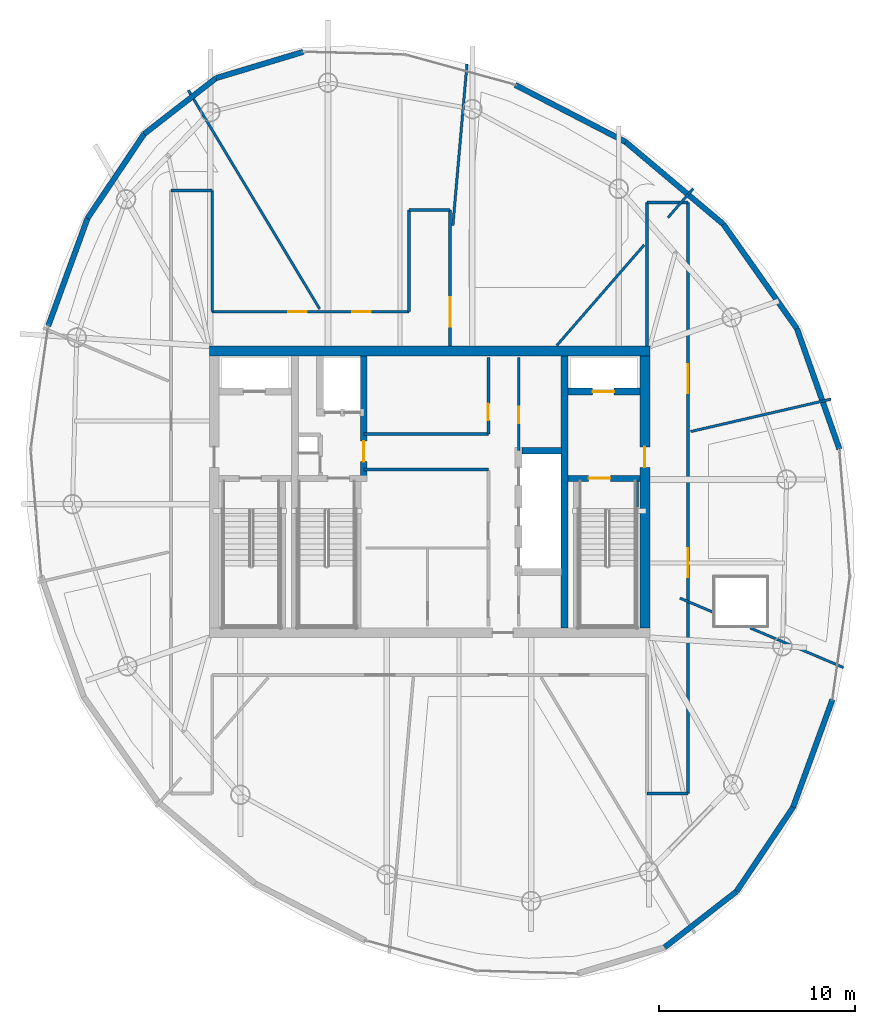
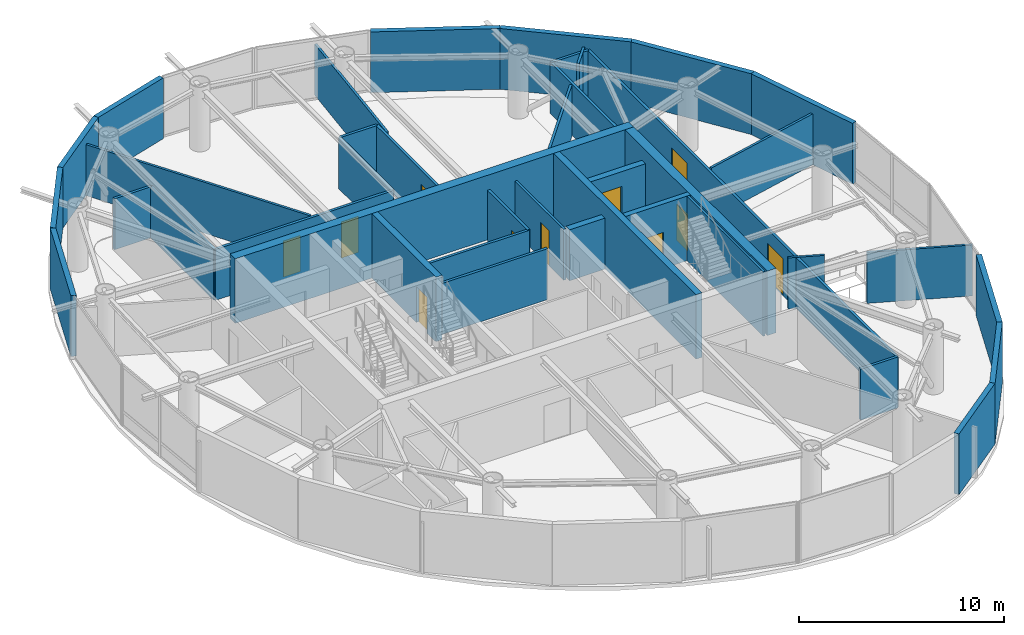
# One storey, part 16 of 20: 40 walls, 11 doors, 11 openings.
"""IFC4 building model written with IfcOpenShell, lengths in metres."""

import ifcopenshell
import ifcopenshell.guid

model = None  # the IFC model being written
_history = None  # IfcOwnerHistory: only IFC2X3 demands one
_inside = {}  # id of a spatial element -> (the spatial element, [elements in it])
_under = {}  # id of a project, library or spatial element -> (it, [spatial elements below it])
_declared = {}  # id of a project -> (the project, [libraries it declares])
_typed = {}  # id of a type object -> (the type object, [elements of that type])
_made_of = {}  # id of a material, layer set ... -> (it, [elements and type objects made of it])


def new_model(schema):
    """Start an empty IFC model of exactly this schema.

    Asked for "IFC4X3", IfcOpenShell would pick the latest addendum, in which some entities
    have other attributes; the version numbers below select the first issue.
    IFC2X3 requires an IfcOwnerHistory on every rooted entity: one is made here for all.
    """
    global model, _history
    if schema == "IFC4X3":
        model = ifcopenshell.file(schema_version=(4, 3, 0, 0))
    else:
        model = ifcopenshell.file(schema=schema)
    _inside.clear()
    _under.clear()
    _declared.clear()
    _typed.clear()
    _made_of.clear()
    _history = None
    if model.schema == "IFC2X3":
        org = make("IfcOrganization", Name="unknown")
        user = make(
            "IfcPersonAndOrganization",
            ThePerson=make("IfcPerson", FamilyName="unknown"),
            TheOrganization=org,
        )
        app = make(
            "IfcApplication",
            ApplicationDeveloper=org,
            Version="unknown",
            ApplicationFullName="unknown",
            ApplicationIdentifier="unknown",
        )
        _history = make(
            "IfcOwnerHistory",
            OwningUser=user,
            OwningApplication=app,
            ChangeAction="ADDED",
            CreationDate=0,
        )
    return model


def make(cls, **values):
    """One entity of the class cls with the attributes given. An attribute that is None is left unset."""
    return model.create_entity(
        cls, **{name: value for name, value in values.items() if value is not None}
    )


def rooted(cls, **values):
    """An entity with a GlobalId (a new one), such as an element, a storey or a relation."""
    return make(cls, GlobalId=ifcopenshell.guid.new(), OwnerHistory=_history, **values)


def si_unit(unit_type, name, prefix=None):
    """IfcSIUnit, for example si_unit("LENGTHUNIT", "METRE", prefix="MILLI")."""
    return make("IfcSIUnit", UnitType=unit_type, Prefix=prefix, Name=name)


def assignment(units):
    """IfcUnitAssignment: the units of a project."""
    return None if units is None else make("IfcUnitAssignment", Units=units)


def point(xyz):
    """IfcCartesianPoint."""
    return None if xyz is None else make("IfcCartesianPoint", Coordinates=xyz)


def direction(xyz):
    """IfcDirection."""
    return None if xyz is None else make("IfcDirection", DirectionRatios=xyz)


def frame(location, z_axis=None, x_axis=None):
    """IfcAxis2Placement3D, a coordinate frame: its origin and axes. An axis left out is left unset."""
    return make(
        "IfcAxis2Placement3D",
        Location=point(location),
        Axis=direction(z_axis),
        RefDirection=direction(x_axis),
    )


def frame_2d(location, x_axis=None):
    """IfcAxis2Placement2D, a coordinate frame in the plane: its origin and x axis."""
    return make(
        "IfcAxis2Placement2D", Location=point(location), RefDirection=direction(x_axis)
    )


def origin():
    """The frame at (0, 0, 0) with its axes left unset."""
    return frame((0.0, 0.0, 0.0))


def place(relative_to, where):
    """IfcLocalPlacement: puts the frame where relative to a parent placement (None: the world)."""
    return make(
        "IfcLocalPlacement", PlacementRelTo=relative_to, RelativePlacement=where
    )


def context(
    kind, dimensions, precision=None, world=None, true_north=None, identifier=None
):
    """IfcGeometricRepresentationContext, for example the 3D "Model" context."""
    return make(
        "IfcGeometricRepresentationContext",
        ContextIdentifier=identifier,
        ContextType=kind,
        CoordinateSpaceDimension=dimensions,
        Precision=precision,
        WorldCoordinateSystem=world,
        TrueNorth=true_north,
    )


def subcontext(parent, identifier, kind, view, scale=None):
    """IfcGeometricRepresentationSubContext, for example "Body" below "Model"."""
    return make(
        "IfcGeometricRepresentationSubContext",
        ContextIdentifier=identifier,
        ContextType=kind,
        ParentContext=parent,
        TargetScale=scale,
        TargetView=view,
    )


def project(units=None, contexts=None):
    """IfcProject with its units and contexts."""
    return rooted(
        "IfcProject",
        Name="project",
        RepresentationContexts=contexts,
        UnitsInContext=assignment(units),
    )


def spatial(cls, under=None, at=None, **own):
    """A site, building, storey or space (cls), placed at a placement, below another one or the project."""
    s = rooted(cls, ObjectPlacement=at, **own)
    if under is not None:
        _under.setdefault(under.id(), (under, []))[1].append(s)
    return s


def profile(cls, at=None, kind="AREA", **sizes):
    """A parametric profile (cls). Its sizes go by their IFC names, for example OverallWidth=200.0."""
    return make(cls, ProfileType=kind, Position=at, **sizes)


def rectangle(**sizes):
    """IfcRectangleProfileDef."""
    return profile("IfcRectangleProfileDef", **sizes)


def extrude(swept, where, along, depth):
    """IfcExtrudedAreaSolid: the profile swept, set in the frame where, extruded along a direction by depth."""
    return make(
        "IfcExtrudedAreaSolid",
        SweptArea=swept,
        Position=where,
        ExtrudedDirection=direction(along),
        Depth=depth,
    )


def shape(context_of_items, identifier, shape_type, items):
    """IfcShapeRepresentation: the items that make up one representation, for example the "Body"."""
    return make(
        "IfcShapeRepresentation",
        ContextOfItems=context_of_items,
        RepresentationIdentifier=identifier,
        RepresentationType=shape_type,
        Items=items,
    )


def material(Name=None, Category=None):
    """IfcMaterial."""
    return make("IfcMaterial", Name=Name, Category=Category)


def layer(
    of_material, thickness, ventilated=None, Name=None, Category=None, Priority=None
):
    """IfcMaterialLayer: one layer of a wall or slab, of a material (None: an air gap)."""
    return make(
        "IfcMaterialLayer",
        Material=of_material,
        LayerThickness=thickness,
        IsVentilated=ventilated,
        Name=Name,
        Category=Category,
        Priority=Priority,
    )


def layer_set(layers, Name=None):
    """IfcMaterialLayerSet."""
    return make("IfcMaterialLayerSet", MaterialLayers=layers, LayerSetName=Name)


def made_of(thing, what):
    """Note that an element or type object is made of a material, layer set ...; save() writes the relation."""
    if what is not None:
        _made_of.setdefault(what.id(), (what, []))[1].append(thing)
    return thing


def type_object(cls, material=None, **own):
    """A type object (cls), such as IfcWallType, which elements share."""
    return made_of(rooted(cls, **own), material)


def element(
    cls,
    number,
    at=None,
    inside=None,
    cuts=None,
    type_object=None,
    material=None,
    context=None,
    identifier="Body",
    shape_type=None,
    held_by="IfcProductDefinitionShape",
    body=None,
    shapes=None,
    **own,
):
    """One element of the class cls, such as IfcWall. Its Tag is "e" and its number.

    at: its placement. inside: the storey or other place that contains it. cuts: it is an
    opening in that element (IfcRelVoidsElement). A single representation is given by context,
    identifier, shape_type and body (its items); several are given by shapes. held_by: the class
    of the entity that holds the representations. save() writes the other relations.
    """
    e = rooted(cls, Tag="e%d" % number, ObjectPlacement=at, **own)
    if body is not None:
        shapes = [shape(context, identifier, shape_type, body)]
    if shapes is not None:
        e.Representation = make(held_by, Representations=shapes)
    if inside is not None:
        _inside.setdefault(inside.id(), (inside, []))[1].append(e)
    if cuts is not None:
        rooted(
            "IfcRelVoidsElement", RelatingBuildingElement=cuts, RelatedOpeningElement=e
        )
    if type_object is not None:
        _typed.setdefault(type_object.id(), (type_object, []))[1].append(e)
    return made_of(e, material)


def fill(opening, filler):
    """IfcRelFillsElement: the door or window that sits in an opening."""
    return rooted(
        "IfcRelFillsElement",
        RelatingOpeningElement=opening,
        RelatedBuildingElement=filler,
    )


def aggregate(whole, parts):
    """IfcRelAggregates: a whole, such as a stair, and the parts it consists of."""
    return rooted("IfcRelAggregates", RelatingObject=whole, RelatedObjects=parts)


def save(model, path):
    """Write the relations noted so far, then the file.

    IfcRelAggregates (storeys below a building ...), IfcRelContainedInSpatialStructure (elements
    in a storey), IfcRelDefinesByType, IfcRelAssociatesMaterial and IfcRelDeclares: one each for
    every whole, place, type object, material and project.
    """
    for whole, parts in _under.values():
        aggregate(whole, parts)
    for where, things in _inside.values():
        rooted(
            "IfcRelContainedInSpatialStructure",
            RelatedElements=things,
            RelatingStructure=where,
        )
    for kind, things in _typed.values():
        rooted("IfcRelDefinesByType", RelatedObjects=things, RelatingType=kind)
    for what, things in _made_of.values():
        rooted("IfcRelAssociatesMaterial", RelatedObjects=things, RelatingMaterial=what)
    for by, libraries in _declared.values():
        rooted("IfcRelDeclares", RelatingContext=by, RelatedDefinitions=libraries)
    model.write(path)


model = new_model("IFC4")

# Units and contexts
model_context = context("Model", 3, precision=1e-05, world=origin(), true_north=direction((0.0, 1.0)))
body_context = subcontext(model_context, "Body", "Model", "MODEL_VIEW")
ifc_project = project(units=[si_unit("LENGTHUNIT", "METRE"), si_unit("AREAUNIT", "SQUARE_METRE"), si_unit("VOLUMEUNIT", "CUBIC_METRE"), si_unit("PLANEANGLEUNIT", "RADIAN"), si_unit("MASSUNIT", "GRAM", prefix="KILO")], contexts=[model_context])

# Site, building, storey
site_placement = place(None, origin())
site = spatial("IfcSite", under=ifc_project, at=site_placement, CompositionType="ELEMENT")
building_placement = place(site_placement, origin())
building = spatial("IfcBuilding", under=site, at=building_placement, Name="Bramvorn Convention Spire", CompositionType="ELEMENT")
storey_placement = place(building_placement, frame((0.0, 0.0, 284.39990234375)))
storey = spatial("IfcBuildingStorey", under=building, at=storey_placement, Name="L72", CompositionType="ELEMENT", Elevation=284.39990234375)

# Wall
ifc_material_1 = material(Name="Concrete C50/60", Category="concrete")
ifc_layer_1 = layer(ifc_material_1, 0.5)
ifc_layer_set_1 = layer_set([ifc_layer_1], Name="Concrete C50/60 - WL-CORE-500")
wall_type_1 = type_object("IfcWallType", Name="WL-CORE-500", PredefinedType="SHEAR", material=ifc_layer_set_1)
wall_1_placement = place(storey_placement, frame((26.75, 33.199951171875, 0.0), z_axis=(0.0, 0.0, 1.0), x_axis=(1.0, 0.0, 0.0)))
element("IfcWall", 1, at=wall_1_placement, inside=storey, type_object=wall_type_1, Name="L72 North RC core shear wall", PredefinedType="SHEAR", context=body_context, shape_type="SweptSolid", body=[
    extrude(rectangle(XDim=22.5, YDim=0.5, at=frame_2d((11.25, 0.0))), origin(), (0.0, 0.0, 1.0), 3.85009765625),
])

# Wall, opening, door
wall_2_placement = place(storey_placement, frame((49.0, 19.050048828125, 0.0), z_axis=(0.0, 0.0, 1.0), x_axis=(0.0, 1.0, 0.0)))
wall_2 = element("IfcWall", 2, at=wall_2_placement, inside=storey, type_object=wall_type_1, Name="L72 East RC core shear wall", PredefinedType="SHEAR", context=body_context, shape_type="SweptSolid", body=[
    extrude(rectangle(XDim=13.89990234375, YDim=0.5, at=frame_2d((6.949951171875, 0.0))), origin(), (0.0, 0.0, 1.0), 3.85009765625),
])
opening_1_placement = place(wall_2_placement, frame((8.199951171875, 0.0, 0.0)))
opening_1 = element("IfcOpeningElement", 3, at=opening_1_placement, cuts=wall_2, Name="Opening DL-105", PredefinedType="OPENING", context=body_context, shape_type="SweptSolid", body=[
    extrude(rectangle(XDim=1.050048828125, YDim=2.14990234375, at=frame_2d((0.52490234375, 1.074951171875))), frame((0.0, 0.260009765625, 0.0), z_axis=(0.0, -1.0, 0.0), x_axis=(1.0, 0.0, 0.0)), (0.0, 0.0, 1.0), 0.52001953125),
])
ifc_material_2 = material(Name="Smoke-Sealed Fire Lobby Timber-Core Door", Category="wood")
door_type_1 = type_object("IfcDoorType", Name="DR-LOBBY-1050", OperationType="NOTDEFINED", PredefinedType="DOOR", material=ifc_material_2)
door_1_placement = place(opening_1_placement, origin())
door_1 = element("IfcDoor", 4, at=door_1_placement, inside=storey, type_object=door_type_1, Name="L72 East Firefighting Lobby corridor door", OperationType="SINGLE_SWING_LEFT", OverallHeight=2.14990234375, OverallWidth=1.050048828125, PredefinedType="DOOR", context=body_context, shape_type="SweptSolid", body=[
    extrude(rectangle(XDim=1.050048828125, YDim=2.14990234375, at=frame_2d((0.52490234375, 1.074951171875))), frame((0.0, 0.02490234375, 0.0), z_axis=(0.0, -1.0, 0.0), x_axis=(1.0, 0.0, 0.0)), (0.0, 0.0, 1.0), 0.050048828125),
])
fill(opening_1, door_1)

# Wall
ifc_layer_2 = layer(ifc_material_1, 0.35009765625)
ifc_layer_set_2 = layer_set([ifc_layer_2], Name="Concrete C50/60 - WL-CORE-INT-350")
wall_type_2 = type_object("IfcWallType", Name="WL-CORE-INT-350", PredefinedType="SHEAR", material=ifc_layer_set_2)
wall_3_placement = place(storey_placement, frame((44.89990234375, 19.050048828125, 0.0), z_axis=(0.0, 0.0, 1.0), x_axis=(0.0, 1.0, 0.0)))
element("IfcWall", 5, at=wall_3_placement, inside=storey, type_object=wall_type_2, Name="L72 East internal core shear web", PredefinedType="SHEAR", context=body_context, shape_type="SweptSolid", body=[
    extrude(rectangle(XDim=13.89990234375, YDim=0.35009765625, at=frame_2d((6.949951171875, 0.0))), origin(), (0.0, 0.0, 1.0), 3.85009765625),
])

# Wall, opening, door
wall_4_placement = place(storey_placement, frame((45.080078125, 31.1201171875, 0.0), z_axis=(0.0, 0.0, 1.0), x_axis=(1.0, 0.0, 0.0)))
wall_4 = element("IfcWall", 6, at=wall_4_placement, inside=storey, type_object=wall_type_2, Name="L72 FE2 shaft front wall", PredefinedType="SHEAR", context=body_context, shape_type="SweptSolid", body=[
    extrude(rectangle(XDim=3.669921875, YDim=0.35009765625, at=frame_2d((1.8349609375, 0.0))), origin(), (0.0, 0.0, 1.0), 3.0400390625),
])
opening_2_placement = place(wall_4_placement, frame((1.25, 0.0, 0.0)))
opening_2 = element("IfcOpeningElement", 7, at=opening_2_placement, cuts=wall_4, Name="Opening LD-110", PredefinedType="OPENING", context=body_context, shape_type="SweptSolid", body=[
    extrude(rectangle(XDim=1.10009765625, YDim=2.14990234375, at=frame_2d((0.550048828125, 1.074951171875))), frame((0.0, 0.18505859375, 0.0), z_axis=(0.0, -1.0, 0.0), x_axis=(1.0, 0.0, 0.0)), (0.0, 0.0, 1.0), 0.3701171875),
])
ifc_material_3 = material(Name="Firefighting & Service Lift Sliding Landing Door", Category="steel")
door_type_2 = type_object("IfcDoorType", Name="DR-LIFT-LD-1100", OperationType="NOTDEFINED", PredefinedType="DOOR", material=ifc_material_3)
door_2_placement = place(opening_2_placement, origin())
door_2 = element("IfcDoor", 8, at=door_2_placement, inside=storey, type_object=door_type_2, Name="L72 Lift FE2 Sliding Landing Door", OperationType="SLIDING_TO_LEFT", OverallHeight=2.14990234375, OverallWidth=1.10009765625, PredefinedType="DOOR", context=body_context, shape_type="SweptSolid", body=[
    extrude(rectangle(XDim=1.10009765625, YDim=2.14990234375, at=frame_2d((0.550048828125, 1.074951171875))), frame((0.0, 0.02490234375, 0.0), z_axis=(0.0, -1.0, 0.0), x_axis=(1.0, 0.0, 0.0)), (0.0, 0.0, 1.0), 0.050048828125),
])
fill(opening_2, door_2)

wall_5_placement = place(storey_placement, frame((34.639892578125, 26.68994140625, 0.0), z_axis=(0.0, 0.0, 1.0), x_axis=(0.0, 1.0, 0.0)))
wall_5 = element("IfcWall", 9, at=wall_5_placement, inside=storey, type_object=wall_type_2, Name="L72 SV east core shaft wall", PredefinedType="SHEAR", context=body_context, shape_type="SweptSolid", body=[
    extrude(rectangle(XDim=6.260009765625, YDim=0.35009765625, at=frame_2d((3.1298828125, 0.0))), origin(), (0.0, 0.0, 1.0), 3.85009765625),
])
opening_3_placement = place(wall_5_placement, frame((0.85009765625, 0.0, 0.0)))
opening_3 = element("IfcOpeningElement", 10, at=opening_3_placement, cuts=wall_5, Name="Opening DL-105", PredefinedType="OPENING", context=body_context, shape_type="SweptSolid", body=[
    extrude(rectangle(XDim=1.050048828125, YDim=2.14990234375, at=frame_2d((0.52490234375, 1.074951171875))), frame((0.0, 0.18505859375, 0.0), z_axis=(0.0, -1.0, 0.0), x_axis=(1.0, 0.0, 0.0)), (0.0, 0.0, 1.0), 0.3701171875),
])
door_3_placement = place(opening_3_placement, origin())
door_3 = element("IfcDoor", 11, at=door_3_placement, inside=storey, type_object=door_type_1, Name="L72 Core cross-passage door", OperationType="SINGLE_SWING_RIGHT", OverallHeight=2.14990234375, OverallWidth=1.050048828125, PredefinedType="DOOR", context=body_context, shape_type="SweptSolid", body=[
    extrude(rectangle(XDim=1.050048828125, YDim=2.14990234375, at=frame_2d((0.52490234375, 1.074951171875))), frame((0.0, 0.02490234375, 0.0), z_axis=(0.0, -1.0, 0.0), x_axis=(1.0, 0.0, 0.0)), (0.0, 0.0, 1.0), 0.050048828125),
])
fill(opening_3, door_3)

# Walls
wall_6_placement = place(storey_placement, frame((42.719970703125, 28.10009765625, 0.0), z_axis=(0.0, 0.0, 1.0), x_axis=(1.0, 0.0, 0.0)))
element("IfcWall", 12, at=wall_6_placement, inside=storey, type_object=wall_type_2, Name="L72 High-rise lift bank north wall", PredefinedType="SHEAR", context=body_context, shape_type="SweptSolid", body=[
    extrude(rectangle(XDim=2.030029296875, YDim=0.35009765625, at=frame_2d((1.01513671875, 0.0))), origin(), (0.0, 0.0, 1.0), 3.0400390625),
])
ifc_material_4 = material(Name="Precast Concrete C40/50 with Bronze Terracotta Rainscreen", Category="masonry")
ifc_layer_3 = layer(ifc_material_4, 0.300048828125)
ifc_layer_set_3 = layer_set([ifc_layer_3], Name="Precast Concrete C40/50 with Bronze Terracotta Rainscreen - WL-EXT-BRONZE-300")
wall_type_3 = type_object("IfcWallType", Name="WL-EXT-BRONZE-300", PredefinedType="SOLIDWALL", material=ifc_layer_set_3)
wall_7_placement = place(storey_placement, frame((53.679931640625, 5.58935546875, 0.0), z_axis=(0.0, 0.0, 1.0), x_axis=(-0.789685647457, -0.613511677314, 0.0)))
element("IfcWall", 13, at=wall_7_placement, inside=storey, type_object=wall_type_3, Name="L72 expressed bronze Gothic lancet pier wall 01", PredefinedType="SOLIDWALL", context=body_context, shape_type="SweptSolid", body=[
    extrude(rectangle(XDim=4.650634765625, YDim=0.280029296875, at=frame_2d((2.3251953125, 0.0))), origin(), (0.0, 0.0, 1.0), 3.625),
])
wall_8_placement = place(storey_placement, frame((56.568115234375, 9.888427734375, 0.0), z_axis=(0.0, 0.0, 1.0), x_axis=(-0.557655573971, -0.830072443115, 0.0)))
element("IfcWall", 14, at=wall_8_placement, inside=storey, type_object=wall_type_3, Name="L72 expressed bronze Gothic lancet pier wall 02", PredefinedType="SOLIDWALL", context=body_context, shape_type="SweptSolid", body=[
    extrude(rectangle(XDim=5.17919921875, YDim=0.280029296875, at=frame_2d((2.589599609375, 0.0))), origin(), (0.0, 0.0, 1.0), 3.625),
])
wall_9_placement = place(storey_placement, frame((58.577880859375, 15.39306640625, 0.0), z_axis=(0.0, 0.0, 1.0), x_axis=(-0.342960397208, -0.939349863441, 0.0)))
element("IfcWall", 15, at=wall_9_placement, inside=storey, type_object=wall_type_3, Name="L72 expressed bronze Gothic lancet pier wall 03", PredefinedType="SOLIDWALL", context=body_context, shape_type="SweptSolid", body=[
    extrude(rectangle(XDim=5.860107421875, YDim=0.280029296875, at=frame_2d((2.93017578125, 0.0))), origin(), (0.0, 0.0, 1.0), 3.625),
])
wall_10_placement = place(storey_placement, frame((56.765625, 34.335205078125, 0.0), z_axis=(0.0, 0.0, 1.0), x_axis=(0.332463989461, -0.943115950301, 0.0)))
element("IfcWall", 16, at=wall_10_placement, inside=storey, type_object=wall_type_3, Name="L72 expressed bronze Gothic lancet pier wall 06", PredefinedType="SOLIDWALL", context=body_context, shape_type="SweptSolid", body=[
    extrude(rectangle(XDim=6.52685546875, YDim=0.280029296875, at=frame_2d((3.263427734375, 0.0))), origin(), (0.0, 0.0, 1.0), 3.625),
])
wall_11_placement = place(storey_placement, frame((53.0048828125, 39.669921875, 0.0), z_axis=(0.0, 0.0, 1.0), x_axis=(0.576177911519, -0.817324301779, 0.0)))
element("IfcWall", 17, at=wall_11_placement, inside=storey, type_object=wall_type_3, Name="L72 expressed bronze Gothic lancet pier wall 07", PredefinedType="SOLIDWALL", context=body_context, shape_type="SweptSolid", body=[
    extrude(rectangle(XDim=6.527099609375, YDim=0.280029296875, at=frame_2d((3.263671875, 0.0))), origin(), (0.0, 0.0, 1.0), 3.625),
])
wall_12_placement = place(storey_placement, frame((48.012451171875, 43.872802734375, 0.0), z_axis=(0.0, 0.0, 1.0), x_axis=(0.765007232119, -0.644021688148, 0.0)))
element("IfcWall", 18, at=wall_12_placement, inside=storey, type_object=wall_type_3, Name="L72 expressed bronze Gothic lancet pier wall 08", PredefinedType="SOLIDWALL", context=body_context, shape_type="SweptSolid", body=[
    extrude(rectangle(XDim=6.52587890625, YDim=0.280029296875, at=frame_2d((3.262939453125, 0.0))), origin(), (0.0, 0.0, 1.0), 3.625),
])
wall_13_placement = place(storey_placement, frame((42.375, 46.785400390625, 0.0), z_axis=(0.0, 0.0, 1.0), x_axis=(0.888431398434, -0.459009422862, 0.0)))
element("IfcWall", 19, at=wall_13_placement, inside=storey, type_object=wall_type_3, Name="L72 expressed bronze Gothic lancet pier wall 09", PredefinedType="SOLIDWALL", context=body_context, shape_type="SweptSolid", body=[
    extrude(rectangle(XDim=6.345458984375, YDim=0.280029296875, at=frame_2d((3.1728515625, 0.0))), origin(), (0.0, 0.0, 1.0), 3.625),
])
for number, where, z_axis, x_axis, name in (
    (20, (27.09326171875, 47.13134765625, 0.0), (0.0, 0.0, 1.0), (0.957551320762, 0.288262845521, 0.0), "L72 expressed bronze Gothic lancet pier wall 12"),
    (21, (23.4208984375, 44.278076171875, 0.0), (0.0, 0.0, 1.0), (0.789665887206, 0.613537111007, 0.0), "L72 expressed bronze Gothic lancet pier wall 13"),
):
    element("IfcWall", number, at=place(storey_placement, frame(where, z_axis=z_axis, x_axis=x_axis)), inside=storey, type_object=wall_type_3, Name=name, PredefinedType="SOLIDWALL", context=body_context, shape_type="SweptSolid", body=[
        extrude(rectangle(XDim=4.650634765625, YDim=0.280029296875, at=frame_2d((2.3251953125, 0.0))), origin(), (0.0, 0.0, 1.0), 3.625),
    ])
wall_14_placement = place(storey_placement, frame((20.53271484375, 39.97900390625, 0.0), z_axis=(0.0, 0.0, 1.0), x_axis=(0.557655573971, 0.830072443115, 0.0)))
element("IfcWall", 22, at=wall_14_placement, inside=storey, type_object=wall_type_3, Name="L72 expressed bronze Gothic lancet pier wall 14", PredefinedType="SOLIDWALL", context=body_context, shape_type="SweptSolid", body=[
    extrude(rectangle(XDim=5.17919921875, YDim=0.280029296875, at=frame_2d((2.589599609375, 0.0))), origin(), (0.0, 0.0, 1.0), 3.625),
])
wall_15_placement = place(storey_placement, frame((18.52294921875, 34.474365234375, 0.0), z_axis=(0.0, 0.0, 1.0), x_axis=(0.342960397208, 0.939349863441, 0.0)))
element("IfcWall", 23, at=wall_15_placement, inside=storey, type_object=wall_type_3, Name="L72 expressed bronze Gothic lancet pier wall 15", PredefinedType="SOLIDWALL", context=body_context, shape_type="SweptSolid", body=[
    extrude(rectangle(XDim=5.860107421875, YDim=0.280029296875, at=frame_2d((2.93017578125, 0.0))), origin(), (0.0, 0.0, 1.0), 3.625),
])

# Wall, opening, door
ifc_material_5 = material(Name="Metal-Stud Demountable Office Partition", Category="gypsum")
ifc_layer_4 = layer(ifc_material_5, 0.1298828125)
ifc_layer_set_4 = layer_set([ifc_layer_4], Name="Metal-Stud Demountable Office Partition - WL-PART-130")
wall_type_4 = type_object("IfcWallType", Name="WL-PART-130", PredefinedType="PARTITIONING", material=ifc_layer_set_4)
wall_16_placement = place(storey_placement, frame((42.550048828125, 28.10009765625, 0.0), z_axis=(0.0, 0.0, 1.0), x_axis=(0.0, 1.0, 0.0)))
wall_16 = element("IfcWall", 24, at=wall_16_placement, inside=storey, type_object=wall_type_4, Name="L72 KA NE IDF wall", PredefinedType="PARTITIONING", context=body_context, shape_type="SweptSolid", body=[
    extrude(rectangle(XDim=4.75, YDim=0.1298828125, at=frame_2d((2.375, 0.0))), origin(), (0.0, 0.0, 1.0), 3.0400390625),
])
opening_4_placement = place(wall_16_placement, frame((1.39990234375, 0.0, 0.0)))
opening_4 = element("IfcOpeningElement", 25, at=opening_4_placement, cuts=wall_16, Name="Opening DC-085", PredefinedType="OPENING", context=body_context, shape_type="SweptSolid", body=[
    extrude(rectangle(XDim=0.85009765625, YDim=2.10009765625, at=frame_2d((0.425048828125, 1.050048828125))), frame((0.0, 0.074951171875, 0.0), z_axis=(0.0, -1.0, 0.0), x_axis=(1.0, 0.0, 0.0)), (0.0, 0.0, 1.0), 0.14990234375),
])
ifc_material_6 = material(Name="Fire-Rated Core Washroom & IDF Door", Category="wood")
door_type_3 = type_object("IfcDoorType", Name="DR-CORE-850", OperationType="NOTDEFINED", PredefinedType="DOOR", material=ifc_material_6)
door_4_placement = place(opening_4_placement, origin())
door_4 = element("IfcDoor", 26, at=door_4_placement, inside=storey, type_object=door_type_3, Name="L72 Core IDF & BMS Room door", OperationType="SINGLE_SWING_LEFT", OverallHeight=2.10009765625, OverallWidth=0.85009765625, PredefinedType="DOOR", context=body_context, shape_type="SweptSolid", body=[
    extrude(rectangle(XDim=0.85009765625, YDim=2.10009765625, at=frame_2d((0.425048828125, 1.050048828125))), frame((0.0, 0.02490234375, 0.0), z_axis=(0.0, -1.0, 0.0), x_axis=(1.0, 0.0, 0.0)), (0.0, 0.0, 1.0), 0.050048828125),
])
fill(opening_4, door_4)

# Walls
wall_17_placement = place(storey_placement, frame((51.340087890625, 29.079833984375, 0.0), z_axis=(0.0, 0.0, 1.0), x_axis=(0.974374403815, 0.224932259114, 0.0)))
element("IfcWall", 27, at=wall_17_placement, inside=storey, type_object=wall_type_4, Name="L72 Tenant suite partition 1", PredefinedType="PARTITIONING", context=body_context, shape_type="SweptSolid", body=[
    extrude(rectangle(XDim=7.3525390625, YDim=0.1298828125, at=frame_2d((3.67626953125, 0.0))), origin(), (0.0, 0.0, 1.0), 3.0400390625),
])
wall_18_placement = place(storey_placement, frame((44.49365234375, 33.469970703125, 0.0), z_axis=(0.0, 0.0, 1.0), x_axis=(0.656056181598, 0.754712055414, 0.0)))
element("IfcWall", 28, at=wall_18_placement, inside=storey, type_object=wall_type_4, Name="L72 Tenant suite partition 2", PredefinedType="PARTITIONING", context=body_context, shape_type="SweptSolid", body=[
    extrude(rectangle(XDim=6.807861328125, YDim=0.1298828125, at=frame_2d((3.40380859375, 0.0))), origin(), (0.0, 0.0, 1.0), 3.0400390625),
])
wall_19_placement = place(storey_placement, frame((50.177001953125, 40.00830078125, 0.0), z_axis=(0.0, 0.0, 1.0), x_axis=(0.65617256833, 0.754610866984, 0.0)))
element("IfcWall", 29, at=wall_19_placement, inside=storey, type_object=wall_type_4, Name="L72 Tenant suite partition 2", PredefinedType="PARTITIONING", context=body_context, shape_type="SweptSolid", body=[
    extrude(rectangle(XDim=1.966796875, YDim=0.1298828125, at=frame_2d((0.9833984375, 0.0))), origin(), (0.0, 0.0, 1.0), 3.0400390625),
])
wall_20_placement = place(storey_placement, frame((39.18994140625, 39.601806640625, 0.0), z_axis=(0.0, 0.0, 1.0), x_axis=(0.087163297365, 0.996194037119, 0.0)))
element("IfcWall", 30, at=wall_20_placement, inside=storey, type_object=wall_type_4, Name="L72 Tenant suite partition 3", PredefinedType="PARTITIONING", context=body_context, shape_type="SweptSolid", body=[
    extrude(rectangle(XDim=8.290771484375, YDim=0.1298828125, at=frame_2d((4.1455078125, 0.0))), origin(), (0.0, 0.0, 1.0), 3.0400390625),
])
wall_21_placement = place(storey_placement, frame((32.387939453125, 35.340087890625, 0.0), z_axis=(0.0, 0.0, 1.0), x_axis=(-0.515038074914, 0.8571673007, 0.0)))
element("IfcWall", 31, at=wall_21_placement, inside=storey, type_object=wall_type_4, Name="L72 Tenant suite partition 4", PredefinedType="PARTITIONING", context=body_context, shape_type="SweptSolid", body=[
    extrude(rectangle(XDim=13.03955078125, YDim=0.1298828125, at=frame_2d((6.519775390625, 0.0))), origin(), (0.0, 0.0, 1.0), 3.0400390625),
])
wall_22_placement = place(storey_placement, frame((50.7900390625, 20.571044921875, 0.0), z_axis=(0.0, 0.0, 1.0), x_axis=(0.920456362026, -0.390845347429, 0.0)))
element("IfcWall", 32, at=wall_22_placement, inside=storey, type_object=wall_type_4, Name="L72 Tenant suite partition 10", PredefinedType="PARTITIONING", context=body_context, shape_type="SweptSolid", body=[
    extrude(rectangle(XDim=1.803466796875, YDim=0.1298828125, at=frame_2d((0.90185546875, 0.0))), origin(), (0.0, 0.0, 1.0), 3.0400390625),
])
wall_23_placement = place(storey_placement, frame((54.373291015625, 19.050048828125, 0.0), z_axis=(0.0, 0.0, 1.0), x_axis=(0.920491611713, -0.390762322603, 0.0)))
element("IfcWall", 33, at=wall_23_placement, inside=storey, type_object=wall_type_4, Name="L72 Tenant suite partition 10", PredefinedType="PARTITIONING", context=body_context, shape_type="SweptSolid", body=[
    extrude(rectangle(XDim=5.193115234375, YDim=0.1298828125, at=frame_2d((2.5966796875, 0.0))), origin(), (0.0, 0.0, 1.0), 3.0400390625),
])
ifc_material_7 = material(Name="Acoustic Metal-Stud Tenant/Corridor Partition", Category="gypsum")
ifc_layer_5 = layer(ifc_material_7, 0.14990234375)
ifc_layer_set_5 = layer_set([ifc_layer_5], Name="Acoustic Metal-Stud Tenant/Corridor Partition - WL-PART-150")
wall_type_5 = type_object("IfcWallType", Name="WL-PART-150", PredefinedType="PARTITIONING", material=ifc_layer_set_5)
for number, where, z_axis, x_axis, name in (
    (34, (34.639892578125, 27.14990234375, 0.0), (0.0, 0.0, 1.0), (1.0, 0.0, 0.0), "L72 Cross-core passage south wall"),
    (35, (34.639892578125, 28.949951171875, 0.0), (0.0, 0.0, 1.0), (1.0, 0.0, 0.0), "L72 Cross-core passage north wall"),
):
    element("IfcWall", number, at=place(storey_placement, frame(where, z_axis=z_axis, x_axis=x_axis)), inside=storey, type_object=wall_type_5, Name=name, PredefinedType="PARTITIONING", context=body_context, shape_type="SweptSolid", body=[
        extrude(rectangle(XDim=6.360107421875, YDim=0.14990234375, at=frame_2d((3.18017578125, 0.0))), origin(), (0.0, 0.0, 1.0), 3.0400390625),
    ])

# Wall, opening, door
wall_24_placement = place(storey_placement, frame((41.0, 28.949951171875, 0.0), z_axis=(0.0, 0.0, 1.0), x_axis=(0.0, 1.0, 0.0)))
wall_24 = element("IfcWall", 36, at=wall_24_placement, inside=storey, type_object=wall_type_5, Name="L72 Freed north shaft room wall", PredefinedType="PARTITIONING", context=body_context, shape_type="SweptSolid", body=[
    extrude(rectangle(XDim=3.900146484375, YDim=0.14990234375, at=frame_2d((1.9501953125, 0.0))), origin(), (0.0, 0.0, 1.0), 3.0400390625),
])
opening_5_placement = place(wall_24_placement, frame((0.699951171875, 0.0, 0.0)))
opening_5 = element("IfcOpeningElement", 37, at=opening_5_placement, cuts=wall_24, Name="Opening DC-085", PredefinedType="OPENING", context=body_context, shape_type="SweptSolid", body=[
    extrude(rectangle(XDim=0.85009765625, YDim=2.10009765625, at=frame_2d((0.425048828125, 1.050048828125))), frame((0.0, 0.0849609375, 0.0), z_axis=(0.0, -1.0, 0.0), x_axis=(1.0, 0.0, 0.0)), (0.0, 0.0, 1.0), 0.169921875),
])
door_5_placement = place(opening_5_placement, origin())
door_5 = element("IfcDoor", 38, at=door_5_placement, inside=storey, type_object=door_type_3, Name="L72 North core archive door", OperationType="SINGLE_SWING_LEFT", OverallHeight=2.10009765625, OverallWidth=0.85009765625, PredefinedType="DOOR", context=body_context, shape_type="SweptSolid", body=[
    extrude(rectangle(XDim=0.85009765625, YDim=2.10009765625, at=frame_2d((0.425048828125, 1.050048828125))), frame((0.0, 0.02490234375, 0.0), z_axis=(0.0, -1.0, 0.0), x_axis=(1.0, 0.0, 0.0)), (0.0, 0.0, 1.0), 0.050048828125),
])
fill(opening_5, door_5)

# Wall, openings, doors
wall_25_placement = place(storey_placement, frame((26.89990234375, 35.199951171875, 0.0), z_axis=(0.0, 0.0, 1.0), x_axis=(1.0, 0.0, 0.0)))
wall_25 = element("IfcWall", 39, at=wall_25_placement, inside=storey, type_object=wall_type_5, Name="L72 North-west spur link wall", PredefinedType="PARTITIONING", context=body_context, shape_type="SweptSolid", body=[
    extrude(rectangle(XDim=10.050048828125, YDim=0.14990234375, at=frame_2d((5.02490234375, 0.0))), origin(), (0.0, 0.0, 1.0), 3.0400390625),
])
opening_6_placement = place(wall_25_placement, frame((7.1494140625, 0.0, 0.0)))
opening_6 = element("IfcOpeningElement", 40, at=opening_6_placement, cuts=wall_25, Name="Opening DH-095", PredefinedType="OPENING", context=body_context, shape_type="SweptSolid", body=[
    extrude(rectangle(XDim=0.949951171875, YDim=2.14990234375, at=frame_2d((0.47509765625, 1.074951171875))), frame((0.0, 0.0849609375, 0.0), z_axis=(0.0, -1.0, 0.0), x_axis=(1.0, 0.0, 0.0)), (0.0, 0.0, 1.0), 0.169921875),
])
opening_7_placement = place(wall_25_placement, frame((3.872314453125, 0.0, 0.0)))
opening_7 = element("IfcOpeningElement", 41, at=opening_7_placement, cuts=wall_25, Name="Opening DH-095", PredefinedType="OPENING", context=body_context, shape_type="SweptSolid", body=[
    extrude(rectangle(XDim=0.949951171875, YDim=2.14990234375, at=frame_2d((0.47509765625, 1.074951171875))), frame((0.0, 0.0849609375, 0.0), z_axis=(0.0, -1.0, 0.0), x_axis=(1.0, 0.0, 0.0)), (0.0, 0.0, 1.0), 0.169921875),
])
ifc_material_8 = material(Name="Solid-Core Acoustic Guestroom Entry Door", Category="wood")
door_type_4 = type_object("IfcDoorType", Name="DR-HOTEL-950", OperationType="NOTDEFINED", PredefinedType="DOOR", material=ifc_material_8)
door_6_placement = place(opening_6_placement, origin())
door_6 = element("IfcDoor", 42, at=door_6_placement, inside=storey, type_object=door_type_4, Name="L72 Client Meeting Pin-Up Room 1 3 door", OperationType="SINGLE_SWING_RIGHT", OverallHeight=2.14990234375, OverallWidth=0.949951171875, PredefinedType="DOOR", context=body_context, shape_type="SweptSolid", body=[
    extrude(rectangle(XDim=0.949951171875, YDim=2.14990234375, at=frame_2d((0.47509765625, 1.074951171875))), frame((0.0, 0.02490234375, 0.0), z_axis=(0.0, -1.0, 0.0), x_axis=(1.0, 0.0, 0.0)), (0.0, 0.0, 1.0), 0.050048828125),
])
fill(opening_6, door_6)
door_7_placement = place(opening_7_placement, origin())
door_7 = element("IfcDoor", 43, at=door_7_placement, inside=storey, type_object=door_type_4, Name="L72 Client Meeting Pin-Up Room 2 4 door", OperationType="SINGLE_SWING_RIGHT", OverallHeight=2.14990234375, OverallWidth=0.949951171875, PredefinedType="DOOR", context=body_context, shape_type="SweptSolid", body=[
    extrude(rectangle(XDim=0.949951171875, YDim=2.14990234375, at=frame_2d((0.47509765625, 1.074951171875))), frame((0.0, 0.02490234375, 0.0), z_axis=(0.0, -1.0, 0.0), x_axis=(1.0, 0.0, 0.0)), (0.0, 0.0, 1.0), 0.050048828125),
])
fill(opening_7, door_7)

# Walls
wall_26_placement = place(storey_placement, frame((26.89990234375, 35.199951171875, 0.0), z_axis=(0.0, 0.0, 1.0), x_axis=(0.0, 1.0, 0.0)))
element("IfcWall", 44, at=wall_26_placement, inside=storey, type_object=wall_type_5, Name="L72 West gallery NE wall", PredefinedType="PARTITIONING", context=body_context, shape_type="SweptSolid", body=[
    extrude(rectangle(XDim=6.199951171875, YDim=0.14990234375, at=frame_2d((3.10009765625, 0.0))), origin(), (0.0, 0.0, 1.0), 3.0400390625),
])
wall_27_placement = place(storey_placement, frame((24.800048828125, 41.39990234375, 0.0), z_axis=(0.0, 0.0, 1.0), x_axis=(1.0, 0.0, 0.0)))
element("IfcWall", 45, at=wall_27_placement, inside=storey, type_object=wall_type_5, Name="L72 West gallery north end", PredefinedType="PARTITIONING", context=body_context, shape_type="SweptSolid", body=[
    extrude(rectangle(XDim=2.099853515625, YDim=0.14990234375, at=frame_2d((1.0498046875, 0.0))), origin(), (0.0, 0.0, 1.0), 3.0400390625),
])

# Wall, openings, doors
wall_28_placement = place(storey_placement, frame((51.199951171875, 10.60009765625, 0.0), z_axis=(0.0, 0.0, 1.0), x_axis=(0.0, 1.0, 0.0)))
wall_28 = element("IfcWall", 46, at=wall_28_placement, inside=storey, type_object=wall_type_5, Name="L72 East N-S gallery outer wall", PredefinedType="PARTITIONING", context=body_context, shape_type="SweptSolid", body=[
    extrude(rectangle(XDim=30.168212890625, YDim=0.14990234375, at=frame_2d((15.083984375, 0.0))), origin(), (0.0, 0.0, 1.0), 3.0400390625),
])
opening_8_placement = place(wall_28_placement, frame((20.426025390625, 0.0, 0.0)))
opening_8 = element("IfcOpeningElement", 47, at=opening_8_placement, cuts=wall_28, Name="Opening DC-150", PredefinedType="OPENING", context=body_context, shape_type="SweptSolid", body=[
    extrude(rectangle(XDim=1.5, YDim=2.199951171875, at=frame_2d((0.75, 1.10009765625))), frame((0.0, 0.0849609375, 0.0), z_axis=(0.0, -1.0, 0.0), x_axis=(1.0, 0.0, 0.0)), (0.0, 0.0, 1.0), 0.169921875),
])
opening_9_placement = place(wall_28_placement, frame((11.02978515625, 0.0, 0.0)))
opening_9 = element("IfcOpeningElement", 48, at=opening_9_placement, cuts=wall_28, Name="Opening DC-150", PredefinedType="OPENING", context=body_context, shape_type="SweptSolid", body=[
    extrude(rectangle(XDim=1.5, YDim=2.199951171875, at=frame_2d((0.75, 1.10009765625))), frame((0.0, 0.0849609375, 0.0), z_axis=(0.0, -1.0, 0.0), x_axis=(1.0, 0.0, 0.0)), (0.0, 0.0, 1.0), 0.169921875),
])
ifc_material_9 = material(Name="Double-Leaf Smoke-Control Corridor Door", Category="wood")
door_type_5 = type_object("IfcDoorType", Name="DR-COR-1500", OperationType="NOTDEFINED", PredefinedType="DOOR", material=ifc_material_9)
door_8_placement = place(opening_8_placement, origin())
door_8 = element("IfcDoor", 49, at=door_8_placement, inside=storey, type_object=door_type_5, Name="L72 Design Office Studio A 1 door", OperationType="DOUBLE_DOOR_SINGLE_SWING", OverallHeight=2.199951171875, OverallWidth=1.5, PredefinedType="DOOR", context=body_context, shape_type="SweptSolid", body=[
    extrude(rectangle(XDim=1.5, YDim=2.199951171875, at=frame_2d((0.75, 1.10009765625))), frame((0.0, 0.02490234375, 0.0), z_axis=(0.0, -1.0, 0.0), x_axis=(1.0, 0.0, 0.0)), (0.0, 0.0, 1.0), 0.050048828125),
])
fill(opening_8, door_8)
door_9_placement = place(opening_9_placement, origin())
door_9 = element("IfcDoor", 50, at=door_9_placement, inside=storey, type_object=door_type_5, Name="L72 Design Office Studio B 10 door", OperationType="DOUBLE_DOOR_SINGLE_SWING", OverallHeight=2.199951171875, OverallWidth=1.5, PredefinedType="DOOR", context=body_context, shape_type="SweptSolid", body=[
    extrude(rectangle(XDim=1.5, YDim=2.199951171875, at=frame_2d((0.75, 1.10009765625))), frame((0.0, 0.02490234375, 0.0), z_axis=(0.0, -1.0, 0.0), x_axis=(1.0, 0.0, 0.0)), (0.0, 0.0, 1.0), 0.050048828125),
])
fill(opening_9, door_9)

# Walls
wall_29_placement = place(storey_placement, frame((49.10009765625, 33.449951171875, 0.0), z_axis=(0.0, 0.0, 1.0), x_axis=(0.0, 1.0, 0.0)))
element("IfcWall", 51, at=wall_29_placement, inside=storey, type_object=wall_type_5, Name="L72 East gallery NW wall", PredefinedType="PARTITIONING", context=body_context, shape_type="SweptSolid", body=[
    extrude(rectangle(XDim=7.318359375, YDim=0.14990234375, at=frame_2d((3.6591796875, 0.0))), origin(), (0.0, 0.0, 1.0), 3.0400390625),
])
for number, where, z_axis, x_axis, name in (
    (52, (49.10009765625, 10.60009765625, 0.0), (0.0, 0.0, 1.0), (1.0, 0.0, 0.0), "L72 East gallery south end"),
    (53, (49.10009765625, 40.768310546875, 0.0), (0.0, 0.0, 1.0), (1.0, 0.0, 0.0), "L72 East gallery north end"),
):
    element("IfcWall", number, at=place(storey_placement, frame(where, z_axis=z_axis, x_axis=x_axis)), inside=storey, type_object=wall_type_5, Name=name, PredefinedType="PARTITIONING", context=body_context, shape_type="SweptSolid", body=[
        extrude(rectangle(XDim=2.099853515625, YDim=0.14990234375, at=frame_2d((1.0498046875, 0.0))), origin(), (0.0, 0.0, 1.0), 3.0400390625),
    ])
wall_30_placement = place(storey_placement, frame((36.949951171875, 35.199951171875, 0.0), z_axis=(0.0, 0.0, 1.0), x_axis=(0.0, 1.0, 0.0)))
element("IfcWall", 54, at=wall_30_placement, inside=storey, type_object=wall_type_5, Name="L72 North spur west wall", PredefinedType="PARTITIONING", context=body_context, shape_type="SweptSolid", body=[
    extrude(rectangle(XDim=5.199951171875, YDim=0.14990234375, at=frame_2d((2.60009765625, 0.0))), origin(), (0.0, 0.0, 1.0), 3.0400390625),
])

# Wall, opening, door
wall_31_placement = place(storey_placement, frame((39.050048828125, 33.449951171875, 0.0), z_axis=(0.0, 0.0, 1.0), x_axis=(0.0, 1.0, 0.0)))
wall_31 = element("IfcWall", 55, at=wall_31_placement, inside=storey, type_object=wall_type_5, Name="L72 North spur east wall", PredefinedType="PARTITIONING", context=body_context, shape_type="SweptSolid", body=[
    extrude(rectangle(XDim=6.949951171875, YDim=0.14990234375, at=frame_2d((3.47509765625, 0.0))), origin(), (0.0, 0.0, 1.0), 3.0400390625),
])
opening_10_placement = place(wall_31_placement, frame((0.987548828125, 0.0, 0.0)))
opening_10 = element("IfcOpeningElement", 56, at=opening_10_placement, cuts=wall_31, Name="Opening DC-150", PredefinedType="OPENING", context=body_context, shape_type="SweptSolid", body=[
    extrude(rectangle(XDim=1.5, YDim=2.199951171875, at=frame_2d((0.75, 1.10009765625))), frame((0.0, 0.0849609375, 0.0), z_axis=(0.0, -1.0, 0.0), x_axis=(1.0, 0.0, 0.0)), (0.0, 0.0, 1.0), 0.169921875),
])
door_10_placement = place(opening_10_placement, origin())
door_10 = element("IfcDoor", 57, at=door_10_placement, inside=storey, type_object=door_type_5, Name="L72 Design Office Studio B 2 door", OperationType="DOUBLE_DOOR_SINGLE_SWING", OverallHeight=2.199951171875, OverallWidth=1.5, PredefinedType="DOOR", context=body_context, shape_type="SweptSolid", body=[
    extrude(rectangle(XDim=1.5, YDim=2.199951171875, at=frame_2d((0.75, 1.10009765625))), frame((0.0, 0.02490234375, 0.0), z_axis=(0.0, -1.0, 0.0), x_axis=(1.0, 0.0, 0.0)), (0.0, 0.0, 1.0), 0.050048828125),
])
fill(opening_10, door_10)

# Wall
wall_32_placement = place(storey_placement, frame((36.949951171875, 40.39990234375, 0.0), z_axis=(0.0, 0.0, 1.0), x_axis=(1.0, 0.0, 0.0)))
element("IfcWall", 58, at=wall_32_placement, inside=storey, type_object=wall_type_5, Name="L72 North spur end wall", PredefinedType="PARTITIONING", context=body_context, shape_type="SweptSolid", body=[
    extrude(rectangle(XDim=2.10009765625, YDim=0.14990234375, at=frame_2d((1.050048828125, 0.0))), origin(), (0.0, 0.0, 1.0), 3.0400390625),
])

# Wall, opening, door
ifc_layer_6 = layer(ifc_material_1, 0.300048828125)
ifc_layer_set_6 = layer_set([ifc_layer_6], Name="Concrete C50/60 - WL-POD-STAIR-300")
wall_type_6 = type_object("IfcWallType", Name="WL-POD-STAIR-300", PredefinedType="SHEAR", material=ifc_layer_set_6)
wall_33_placement = place(storey_placement, frame((45.080078125, 26.68994140625, 0.0), z_axis=(0.0, 0.0, 1.0), x_axis=(1.0, 0.0, 0.0)))
wall_33 = element("IfcWall", 59, at=wall_33_placement, inside=storey, type_object=wall_type_6, Name="L72 ST2 north fire wall", PredefinedType="SHEAR", context=body_context, shape_type="SweptSolid", body=[
    extrude(rectangle(XDim=3.669921875, YDim=0.300048828125, at=frame_2d((1.8349609375, 0.0))), origin(), (0.0, 0.0, 1.0), 3.85009765625),
])
opening_11_placement = place(wall_33_placement, frame((1.050048828125, 0.0, 0.0)))
opening_11 = element("IfcOpeningElement", 60, at=opening_11_placement, cuts=wall_33, Name="Opening DS-110", PredefinedType="OPENING", context=body_context, shape_type="SweptSolid", body=[
    extrude(rectangle(XDim=1.10009765625, YDim=2.14990234375, at=frame_2d((0.550048828125, 1.074951171875))), frame((0.0, 0.159912109375, 0.0), z_axis=(0.0, -1.0, 0.0), x_axis=(1.0, 0.0, 0.0)), (0.0, 0.0, 1.0), 0.320068359375),
])
ifc_material_10 = material(Name="Fire-Rated Hollow Steel Stairwell Door", Category="steel")
door_type_6 = type_object("IfcDoorType", Name="DR-STAIR-1100", OperationType="NOTDEFINED", PredefinedType="DOOR", material=ifc_material_10)
door_11_placement = place(opening_11_placement, origin())
door_11 = element("IfcDoor", 61, at=door_11_placement, inside=storey, type_object=door_type_6, Name="L72 Stair ST2 fire door", OperationType="SINGLE_SWING_RIGHT", OverallHeight=2.14990234375, OverallWidth=1.10009765625, PredefinedType="DOOR", context=body_context, shape_type="SweptSolid", body=[
    extrude(rectangle(XDim=1.10009765625, YDim=2.14990234375, at=frame_2d((0.550048828125, 1.074951171875))), frame((0.0, 0.02490234375, 0.0), z_axis=(0.0, -1.0, 0.0), x_axis=(1.0, 0.0, 0.0)), (0.0, 0.0, 1.0), 0.050048828125),
])
fill(opening_11, door_11)

# Wall
ifc_layer_7 = layer(ifc_material_1, 0.1201171875)
ifc_layer_set_7 = layer_set([ifc_layer_7], Name="Concrete C50/60 - WL-STAIR-RC-120")
wall_type_7 = type_object("IfcWallType", Name="WL-STAIR-RC-120", PredefinedType="SHEAR", material=ifc_layer_set_7)
wall_34_placement = place(storey_placement, frame((48.60498046875, 19.10009765625, 0.0), z_axis=(0.0, 0.0, 1.0), x_axis=(0.0, 1.0, 0.0)))
element("IfcWall", 62, at=wall_34_placement, inside=storey, type_object=wall_type_7, Name="L72 ST2 east bearing shear wall", PredefinedType="SHEAR", context=body_context, shape_type="SweptSolid", body=[
    extrude(rectangle(XDim=7.449951171875, YDim=0.1201171875, at=frame_2d((3.72509765625, 0.0))), origin(), (0.0, 0.0, 1.0), 3.85009765625),
])

save(model, "model.ifc")
